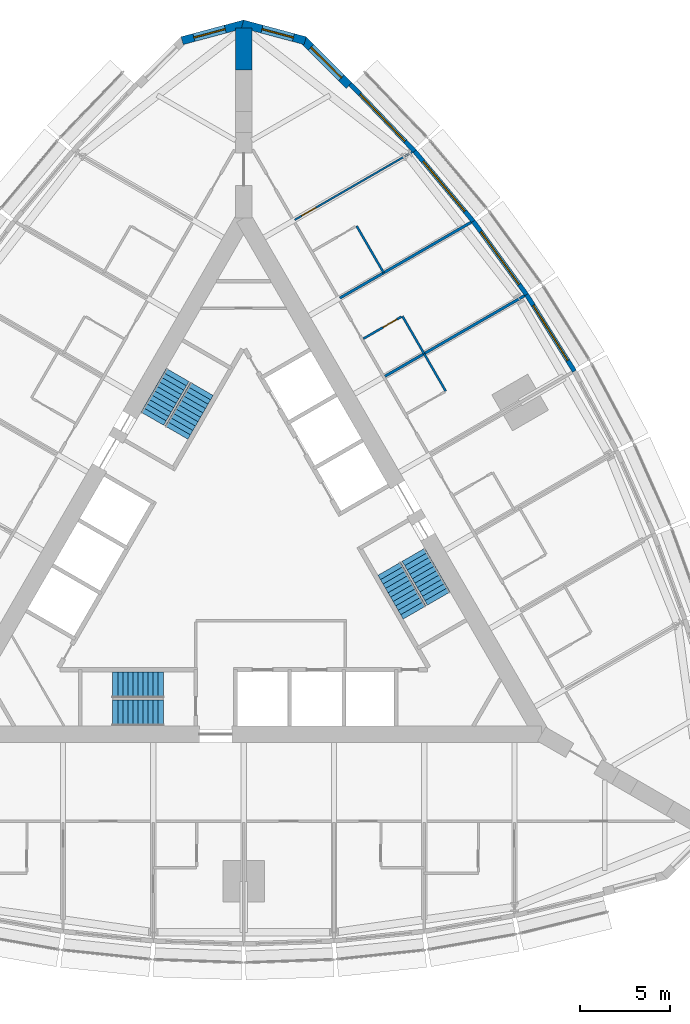
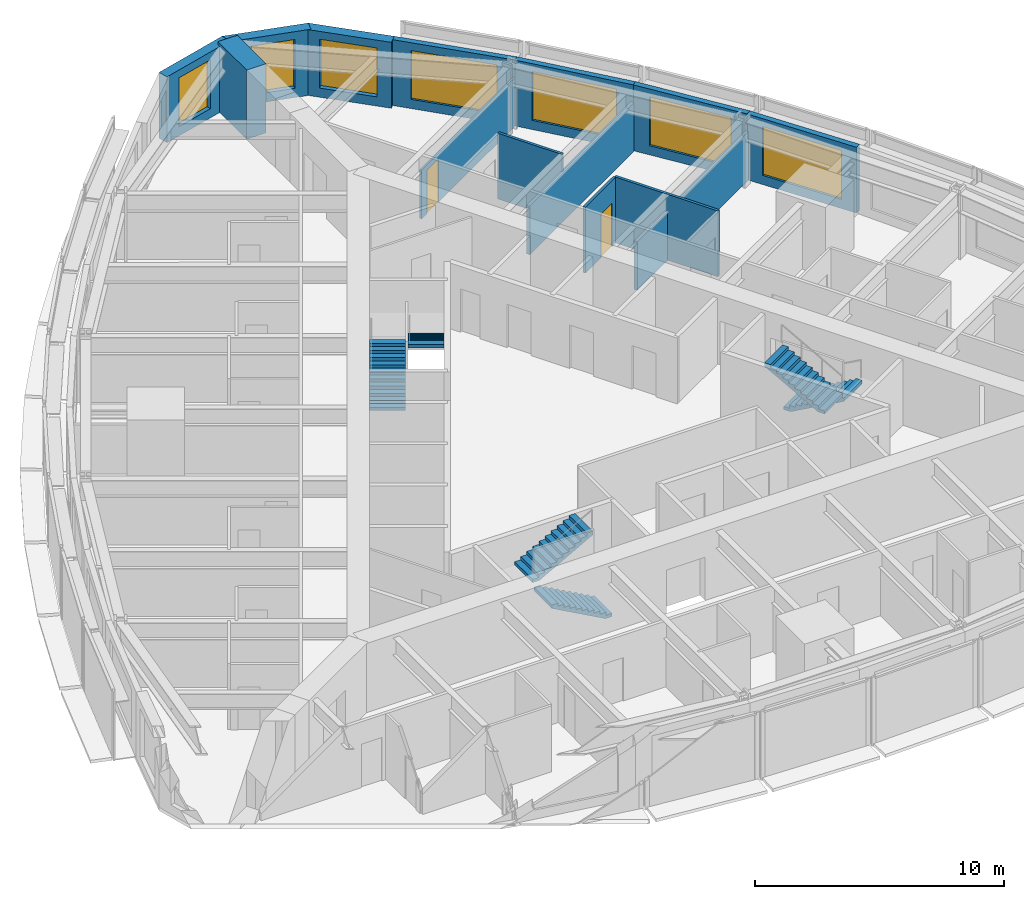
# One storey, part 13 of 14: 15 walls, 7 windows, 6 stair flights, 2 doors, 9 openings, 3 elements without a shape of their own.
"""IFC4 building model written with IfcOpenShell, lengths in metres."""

from ifc_helpers import new_model, si_unit, direction, frame, frame_2d, origin, place, context, subcontext, project, spatial, polyline, rectangle, outline, extrude, material, layer, layer_set, type_object, element, fill, aggregate, save


model = new_model("IFC4")

# Units and contexts
model_context = context("Model", 3, precision=1e-05, world=origin(), true_north=direction((0.0, 1.0)))
body_context = subcontext(model_context, "Body", "Model", "MODEL_VIEW")
ifc_project = project(units=[si_unit("LENGTHUNIT", "METRE"), si_unit("AREAUNIT", "SQUARE_METRE"), si_unit("VOLUMEUNIT", "CUBIC_METRE"), si_unit("PLANEANGLEUNIT", "RADIAN"), si_unit("MASSUNIT", "GRAM", prefix="KILO")], contexts=[model_context])

# Site, building, storey
site_placement = place(None, origin())
site = spatial("IfcSite", under=ifc_project, at=site_placement, CompositionType="ELEMENT")
building_placement = place(site_placement, origin())
building = spatial("IfcBuilding", under=site, at=building_placement, Name="Trikona Tower", CompositionType="ELEMENT")
storey_placement = place(building_placement, frame((0.0, 0.0, 135.10009765625)))
storey = spatial("IfcBuildingStorey", under=building, at=storey_placement, Name="L35", CompositionType="ELEMENT", Elevation=135.10009765625)

# Walls
ifc_material_1 = material(Name="Metal stud and cement board", Category="gypsum")
ifc_layer_1 = layer(ifc_material_1, 0.1201171875)
ifc_layer_set_1 = layer_set([ifc_layer_1], Name="Bathroom wall 120")
wall_type_1 = type_object("IfcWallType", Name="Bathroom wall 120", PredefinedType="PLUMBINGWALL", material=ifc_layer_set_1)
for number, where, z_axis, x_axis, name in (
    (1, (11.193603515625, 9.46484375, 0.0), (0.0, 0.0, 1.0), (-0.500077600433, 0.865980596518, 0.0), "Bathroom wall 3508"),
    (2, (9.993408203125, 11.543212890625, 0.0), (0.0, 0.0, 1.0), (-0.500001309137, 0.866024647952, 0.0), "Bathroom wall 3509"),
):
    element("IfcWall", number, at=place(storey_placement, frame(where, z_axis=z_axis, x_axis=x_axis)), inside=storey, type_object=wall_type_1, Name=name, PredefinedType="PLUMBINGWALL", context=body_context, shape_type="SweptSolid", body=[
        extrude(rectangle(XDim=2.39990234375, YDim=0.1201171875, at=frame_2d((1.199951171875, 0.0))), origin(), (0.0, 0.0, 1.0), 3.23486328125),
    ])

# Wall, opening, door
wall_1_placement = place(storey_placement, frame((6.62841796875, 12.37158203125, 0.0), z_axis=(0.0, 0.0, 1.0), x_axis=(0.866005645448, 0.500034220881, 0.0)))
wall_1 = element("IfcWall", 3, at=wall_1_placement, inside=storey, type_object=wall_type_1, Name="Bathroom wall 3509", PredefinedType="PLUMBINGWALL", context=body_context, shape_type="SweptSolid", body=[
    extrude(rectangle(XDim=2.440185546875, YDim=0.1201171875, at=frame_2d((1.22021484375, 0.0))), origin(), (0.0, 0.0, 1.0), 3.23486328125),
])
opening_1_placement = place(wall_1_placement, frame((1.25, 0.0, 0.0)))
opening_1 = element("IfcOpeningElement", 4, at=opening_1_placement, cuts=wall_1, Name="Opening D2", PredefinedType="OPENING", context=body_context, shape_type="SweptSolid", body=[
    extrude(rectangle(XDim=0.89990234375, YDim=2.1298828125, at=frame_2d((0.449951171875, 1.06494140625))), frame((0.0, 0.070068359375, 0.0), z_axis=(0.0, -1.0, 0.0), x_axis=(1.0, 0.0, 0.0)), (0.0, 0.0, 1.0), 0.14013671875),
])
ifc_material_2 = material(Name="Steel door frame with solid-core timber leaf", Category="steel")
door_type_1 = type_object("IfcDoorType", Name="Bathroom door 900x2130", OperationType="SLIDING_TO_LEFT", PredefinedType="DOOR", material=ifc_material_2)
door_1_placement = place(opening_1_placement, origin())
door_1 = element("IfcDoor", 5, at=door_1_placement, inside=storey, type_object=door_type_1, Name="Bathroom door 3509", OperationType="SLIDING_TO_LEFT", OverallHeight=2.1298828125, OverallWidth=0.89990234375, PredefinedType="DOOR", context=body_context, shape_type="SweptSolid", body=[
    extrude(rectangle(XDim=0.89990234375, YDim=2.1298828125, at=frame_2d((0.449951171875, 1.06494140625))), frame((0.0, 0.02490234375, 0.0), z_axis=(0.0, -1.0, 0.0), x_axis=(1.0, 0.0, 0.0)), (0.0, 0.0, 1.0), 0.050048828125),
])
fill(opening_1, door_1)

# Wall
wall_2_placement = place(storey_placement, frame((7.75341796875, 16.0234375, 0.0), z_axis=(0.0, 0.0, 1.0), x_axis=(-0.499990139034, 0.866031096941, 0.0)))
element("IfcWall", 6, at=wall_2_placement, inside=storey, type_object=wall_type_1, Name="Bathroom wall 3510.1", PredefinedType="PLUMBINGWALL", context=body_context, shape_type="SweptSolid", body=[
    extrude(rectangle(XDim=3.0, YDim=0.1201171875, at=frame_2d((1.5, 0.0))), origin(), (0.0, 0.0, 1.0), 3.23486328125),
])

# Wall, opening, window
ifc_material_3 = material(Name="Brick-faced precast concrete", Category="masonry")
ifc_layer_2 = layer(ifc_material_3, 0.449951171875)
ifc_layer_set_2 = layer_set([ifc_layer_2], Name="Brick-faced corner wall 450")
wall_type_2 = type_object("IfcWallType", Name="Brick-faced corner wall 450", PredefinedType="SOLIDWALL", material=ifc_layer_set_2)
wall_3_placement = place(storey_placement, frame((5.8408203125, 26.39892578125, 0.0), z_axis=(0.0, 0.0, 1.0), x_axis=(-0.707106781187, 0.707106781187, 0.0)))
wall_3 = element("IfcWall", 7, at=wall_3_placement, inside=storey, type_object=wall_type_2, Name="External wall L35-20", PredefinedType="SOLIDWALL", context=body_context, shape_type="SweptSolid", body=[
    extrude(rectangle(XDim=3.586181640625, YDim=0.449951171875, at=frame_2d((1.79296875, 0.0))), origin(), (0.0, 0.0, 1.0), 3.23486328125),
])
opening_2_placement = place(wall_3_placement, frame((0.59326171875, 0.0, 0.449951171875)))
opening_2 = element("IfcOpeningElement", 8, at=opening_2_placement, cuts=wall_3, Name="Opening W2424", PredefinedType="OPENING", context=body_context, shape_type="SweptSolid", body=[
    extrude(rectangle(XDim=2.39990234375, YDim=2.39990234375, at=frame_2d((1.199951171875, 1.199951171875))), frame((0.0, 0.23486328125, 0.0), z_axis=(0.0, -1.0, 0.0), x_axis=(1.0, 0.0, 0.0)), (0.0, 0.0, 1.0), 0.469970703125),
])
ifc_material_4 = material(Name="Aluminium-framed double glazing", Category="aluminium")
window_type_1 = type_object("IfcWindowType", Name="Window 2400x2400", PartitioningType="SINGLE_PANEL", PredefinedType="WINDOW", material=ifc_material_4)
window_1_placement = place(opening_2_placement, origin())
window_1 = element("IfcWindow", 9, at=window_1_placement, inside=storey, type_object=window_type_1, Name="Window 3510", OverallHeight=2.39990234375, OverallWidth=2.39990234375, PartitioningType="SINGLE_PANEL", PredefinedType="WINDOW", context=body_context, shape_type="SweptSolid", body=[
    extrude(rectangle(XDim=2.39990234375, YDim=2.39990234375, at=frame_2d((1.199951171875, 1.199951171875))), frame((0.0, 0.030029296875, 0.0), z_axis=(0.0, -1.0, 0.0), x_axis=(1.0, 0.0, 0.0)), (0.0, 0.0, 1.0), 0.06005859375),
])
fill(opening_2, window_1)

wall_4_placement = place(storey_placement, frame((3.406005859375, 28.876708984375, 0.0), z_axis=(0.0, 0.0, 1.0), x_axis=(-0.965924653531, 0.258823421857, 0.0)))
wall_4 = element("IfcWall", 10, at=wall_4_placement, inside=storey, type_object=wall_type_2, Name="External wall L35-21", PredefinedType="SOLIDWALL", context=body_context, shape_type="SweptSolid", body=[
    extrude(outline(polyline([(3.58642578125, 0.22509765625), (3.526611328125, 0.22509765625), (3.035400390625, 0.09326171875), (3.0, 0.22509765625), (0.0, 0.22509765625), (0.0, -0.22509765625), (3.58642578125, -0.22509765625), (3.58642578125, 0.22509765625)])), origin(), (0.0, 0.0, 1.0), 3.23486328125),
])
opening_3_placement = place(wall_4_placement, frame((0.6748046875, 0.0, 0.449951171875)))
opening_3 = element("IfcOpeningElement", 11, at=opening_3_placement, cuts=wall_4, Name="Opening W1824", PredefinedType="OPENING", context=body_context, shape_type="SweptSolid", body=[
    extrude(rectangle(XDim=1.800048828125, YDim=2.39990234375, at=frame_2d((0.89990234375, 1.199951171875))), frame((0.0, 0.23486328125, 0.0), z_axis=(0.0, -1.0, 0.0), x_axis=(1.0, 0.0, 0.0)), (0.0, 0.0, 1.0), 0.469970703125),
])
ifc_material_5 = material(Name="Aluminium-framed double glazing", Category="aluminium")
window_type_2 = type_object("IfcWindowType", Name="Window 1800x2400", PartitioningType="SINGLE_PANEL", PredefinedType="WINDOW", material=ifc_material_5)
window_2_placement = place(opening_3_placement, origin())
window_2 = element("IfcWindow", 12, at=window_2_placement, inside=storey, type_object=window_type_2, Name="Window 3510", OverallHeight=2.39990234375, OverallWidth=1.800048828125, PartitioningType="SINGLE_PANEL", PredefinedType="WINDOW", context=body_context, shape_type="SweptSolid", body=[
    extrude(rectangle(XDim=1.800048828125, YDim=2.39990234375, at=frame_2d((0.89990234375, 1.199951171875))), frame((0.0, 0.030029296875, 0.0), z_axis=(0.0, -1.0, 0.0), x_axis=(1.0, 0.0, 0.0)), (0.0, 0.0, 1.0), 0.06005859375),
])
fill(opening_3, window_2)

wall_5_placement = place(storey_placement, frame((0.05810546875, 29.804931640625, 0.0), z_axis=(0.0, 0.0, 1.0), x_axis=(-0.965924653531, -0.258823421857, 0.0)))
wall_5 = element("IfcWall", 13, at=wall_5_placement, inside=storey, type_object=wall_type_2, Name="External wall L35-22", PredefinedType="SOLIDWALL", context=body_context, shape_type="SweptSolid", body=[
    extrude(outline(polyline([(3.58642578125, 0.22509765625), (0.58642578125, 0.22509765625), (0.551025390625, 0.09326171875), (0.0595703125, 0.22509765625), (0.0, 0.22509765625), (0.0, -0.22509765625), (3.58642578125, -0.22509765625), (3.58642578125, 0.22509765625)])), origin(), (0.0, 0.0, 1.0), 3.23486328125),
])
opening_4_placement = place(wall_5_placement, frame((1.111328125, 0.0, 0.449951171875)))
opening_4 = element("IfcOpeningElement", 14, at=opening_4_placement, cuts=wall_5, Name="Opening W1824", PredefinedType="OPENING", context=body_context, shape_type="SweptSolid", body=[
    extrude(rectangle(XDim=1.800048828125, YDim=2.39990234375, at=frame_2d((0.89990234375, 1.199951171875))), frame((0.0, 0.23486328125, 0.0), z_axis=(0.0, -1.0, 0.0), x_axis=(1.0, 0.0, 0.0)), (0.0, 0.0, 1.0), 0.469970703125),
])
window_3_placement = place(opening_4_placement, origin())
window_3 = element("IfcWindow", 15, at=window_3_placement, inside=storey, type_object=window_type_2, Name="Window 3511", OverallHeight=2.39990234375, OverallWidth=1.800048828125, PartitioningType="SINGLE_PANEL", PredefinedType="WINDOW", context=body_context, shape_type="SweptSolid", body=[
    extrude(rectangle(XDim=1.800048828125, YDim=2.39990234375, at=frame_2d((0.89990234375, 1.199951171875))), frame((0.0, 0.030029296875, 0.0), z_axis=(0.0, -1.0, 0.0), x_axis=(1.0, 0.0, 0.0)), (0.0, 0.0, 1.0), 0.06005859375),
])
fill(opening_4, window_3)

# Wall
ifc_material_6 = material(Name="Concrete f'c 10000 psi", Category="concrete")
ifc_layer_3 = layer(ifc_material_6, 0.89990234375)
ifc_layer_set_3 = layer_set([ifc_layer_3], Name="Buttress wall 900")
wall_type_3 = type_object("IfcWallType", Name="Buttress wall 900", PredefinedType="SHEAR", material=ifc_layer_set_3)
wall_6_placement = place(storey_placement, frame((0.0, 27.2626953125, 0.0), z_axis=(0.0, 0.0, 1.0), x_axis=(0.0, 1.0, 0.0)))
element("IfcWall", 16, at=wall_6_placement, inside=storey, type_object=wall_type_3, Name="Buttress wall 2 part 4", PredefinedType="SHEAR", context=body_context, shape_type="SweptSolid", body=[
    extrude(rectangle(XDim=2.3095703125, YDim=0.89990234375, at=frame_2d((1.15478515625, 0.0))), origin(), (0.0, 0.0, 1.0), 3.39990234375),
])

# Wall, opening, window
ifc_material_7 = material(Name="Insulated precast concrete spandrel panel", Category="concrete")
ifc_layer_4 = layer(ifc_material_7, 0.25)
ifc_layer_set_4 = layer_set([ifc_layer_4], Name="Inner skin wall 250")
wall_type_4 = type_object("IfcWallType", Name="Inner skin wall 250", PredefinedType="STANDARD", material=ifc_layer_set_4)
wall_7_placement = place(storey_placement, frame((18.31884765625, 10.5712890625, 0.0), z_axis=(0.0, 0.0, 1.0), x_axis=(-0.529990167382, 0.84800378683, 0.0)))
wall_7 = element("IfcWall", 17, at=wall_7_placement, inside=storey, type_object=wall_type_4, Name="External wall L35-16", PredefinedType="STANDARD", context=body_context, shape_type="SweptSolid", body=[
    extrude(rectangle(XDim=5.003173828125, YDim=0.25, at=frame_2d((2.50146484375, 0.0))), origin(), (0.0, 0.0, 1.0), 3.23486328125),
])
opening_5_placement = place(wall_7_placement, frame((0.701416015625, 0.0, 0.449951171875)))
opening_5 = element("IfcOpeningElement", 18, at=opening_5_placement, cuts=wall_7, Name="Opening W3624", PredefinedType="OPENING", context=body_context, shape_type="SweptSolid", body=[
    extrude(rectangle(XDim=3.60009765625, YDim=2.39990234375, at=frame_2d((1.800048828125, 1.199951171875))), frame((0.0, 0.135009765625, 0.0), z_axis=(0.0, -1.0, 0.0), x_axis=(1.0, 0.0, 0.0)), (0.0, 0.0, 1.0), 0.27001953125),
])
ifc_material_8 = material(Name="Aluminium-framed double glazing", Category="aluminium")
window_type_3 = type_object("IfcWindowType", Name="Window 3600x2400", PartitioningType="SINGLE_PANEL", PredefinedType="WINDOW", material=ifc_material_8)
window_4_placement = place(opening_5_placement, origin())
window_4 = element("IfcWindow", 19, at=window_4_placement, inside=storey, type_object=window_type_3, Name="Window 3508", OverallHeight=2.39990234375, OverallWidth=3.60009765625, PartitioningType="SINGLE_PANEL", PredefinedType="WINDOW", context=body_context, shape_type="SweptSolid", body=[
    extrude(rectangle(XDim=3.60009765625, YDim=2.39990234375, at=frame_2d((1.800048828125, 1.199951171875))), frame((0.0, 0.030029296875, 0.0), z_axis=(0.0, -1.0, 0.0), x_axis=(1.0, 0.0, 0.0)), (0.0, 0.0, 1.0), 0.06005859375),
])
fill(opening_5, window_4)

wall_8_placement = place(storey_placement, frame((15.672119140625, 14.806640625, 0.0), z_axis=(0.0, 0.0, 1.0), x_axis=(-0.587669188412, 0.809101307001, 0.0)))
wall_8 = element("IfcWall", 20, at=wall_8_placement, inside=storey, type_object=wall_type_4, Name="External wall L35-17", PredefinedType="STANDARD", context=body_context, shape_type="SweptSolid", body=[
    extrude(rectangle(XDim=5.027587890625, YDim=0.25, at=frame_2d((2.513671875, 0.0))), origin(), (0.0, 0.0, 1.0), 3.23486328125),
])
opening_6_placement = place(wall_8_placement, frame((0.7138671875, 0.0, 0.449951171875)))
opening_6 = element("IfcOpeningElement", 21, at=opening_6_placement, cuts=wall_8, Name="Opening W3624", PredefinedType="OPENING", context=body_context, shape_type="SweptSolid", body=[
    extrude(rectangle(XDim=3.60009765625, YDim=2.39990234375, at=frame_2d((1.800048828125, 1.199951171875))), frame((0.0, 0.135009765625, 0.0), z_axis=(0.0, -1.0, 0.0), x_axis=(1.0, 0.0, 0.0)), (0.0, 0.0, 1.0), 0.27001953125),
])
window_5_placement = place(opening_6_placement, origin())
window_5 = element("IfcWindow", 22, at=window_5_placement, inside=storey, type_object=window_type_3, Name="Window 3509", OverallHeight=2.39990234375, OverallWidth=3.60009765625, PartitioningType="SINGLE_PANEL", PredefinedType="WINDOW", context=body_context, shape_type="SweptSolid", body=[
    extrude(rectangle(XDim=3.60009765625, YDim=2.39990234375, at=frame_2d((1.800048828125, 1.199951171875))), frame((0.0, 0.030029296875, 0.0), z_axis=(0.0, -1.0, 0.0), x_axis=(1.0, 0.0, 0.0)), (0.0, 0.0, 1.0), 0.06005859375),
])
fill(opening_6, window_5)

wall_9_placement = place(storey_placement, frame((12.722900390625, 18.86767578125, 0.0), z_axis=(0.0, 0.0, 1.0), x_axis=(-0.641810386606, 0.766863369607, 0.0)))
wall_9 = element("IfcWall", 23, at=wall_9_placement, inside=storey, type_object=wall_type_4, Name="External wall L35-18", PredefinedType="STANDARD", context=body_context, shape_type="SweptSolid", body=[
    extrude(rectangle(XDim=5.075927734375, YDim=0.25, at=frame_2d((2.5380859375, 0.0))), origin(), (0.0, 0.0, 1.0), 3.23486328125),
])
opening_7_placement = place(wall_9_placement, frame((0.738037109375, 0.0, 0.449951171875)))
opening_7 = element("IfcOpeningElement", 24, at=opening_7_placement, cuts=wall_9, Name="Opening W3624", PredefinedType="OPENING", context=body_context, shape_type="SweptSolid", body=[
    extrude(rectangle(XDim=3.60009765625, YDim=2.39990234375, at=frame_2d((1.800048828125, 1.199951171875))), frame((0.0, 0.135009765625, 0.0), z_axis=(0.0, -1.0, 0.0), x_axis=(1.0, 0.0, 0.0)), (0.0, 0.0, 1.0), 0.27001953125),
])
window_6_placement = place(opening_7_placement, origin())
window_6 = element("IfcWindow", 25, at=window_6_placement, inside=storey, type_object=window_type_3, Name="Window 3510.1", OverallHeight=2.39990234375, OverallWidth=3.60009765625, PartitioningType="SINGLE_PANEL", PredefinedType="WINDOW", context=body_context, shape_type="SweptSolid", body=[
    extrude(rectangle(XDim=3.60009765625, YDim=2.39990234375, at=frame_2d((1.800048828125, 1.199951171875))), frame((0.0, 0.030029296875, 0.0), z_axis=(0.0, -1.0, 0.0), x_axis=(1.0, 0.0, 0.0)), (0.0, 0.0, 1.0), 0.06005859375),
])
fill(opening_7, window_6)

wall_10_placement = place(storey_placement, frame((9.470703125, 22.75390625, 0.0), z_axis=(0.0, 0.0, 1.0), x_axis=(-0.691719937936, 0.722165858693, 0.0)))
wall_10 = element("IfcWall", 26, at=wall_10_placement, inside=storey, type_object=wall_type_4, Name="External wall L35-19", PredefinedType="STANDARD", context=body_context, shape_type="SweptSolid", body=[
    extrude(rectangle(XDim=5.148193359375, YDim=0.25, at=frame_2d((2.57421875, 0.0))), origin(), (0.0, 0.0, 1.0), 3.23486328125),
])
opening_8_placement = place(wall_10_placement, frame((0.77392578125, 0.0, 0.449951171875)))
opening_8 = element("IfcOpeningElement", 27, at=opening_8_placement, cuts=wall_10, Name="Opening W3624", PredefinedType="OPENING", context=body_context, shape_type="SweptSolid", body=[
    extrude(rectangle(XDim=3.60009765625, YDim=2.39990234375, at=frame_2d((1.800048828125, 1.199951171875))), frame((0.0, 0.135009765625, 0.0), z_axis=(0.0, -1.0, 0.0), x_axis=(1.0, 0.0, 0.0)), (0.0, 0.0, 1.0), 0.27001953125),
])
window_7_placement = place(opening_8_placement, origin())
window_7 = element("IfcWindow", 28, at=window_7_placement, inside=storey, type_object=window_type_3, Name="Window 3510", OverallHeight=2.39990234375, OverallWidth=3.60009765625, PartitioningType="SINGLE_PANEL", PredefinedType="WINDOW", context=body_context, shape_type="SweptSolid", body=[
    extrude(rectangle(XDim=3.60009765625, YDim=2.39990234375, at=frame_2d((1.800048828125, 1.199951171875))), frame((0.0, 0.030029296875, 0.0), z_axis=(0.0, -1.0, 0.0), x_axis=(1.0, 0.0, 0.0)), (0.0, 0.0, 1.0), 0.06005859375),
])
fill(opening_8, window_7)

# Walls
ifc_material_9 = material(Name="Metal stud and gypsum board, 1-hour acoustic", Category="gypsum")
ifc_layer_5 = layer(ifc_material_9, 0.14990234375)
ifc_layer_set_5 = layer_set([ifc_layer_5], Name="Party wall 150")
wall_type_5 = type_object("IfcWallType", Name="Party wall 150", PredefinedType="PARTITIONING", material=ifc_layer_set_5)
wall_11_placement = place(storey_placement, frame((7.82861328125, 10.293212890625, 0.0), z_axis=(0.0, 0.0, 1.0), x_axis=(0.866027015393, 0.499997208602, 0.0)))
element("IfcWall", 29, at=wall_11_placement, inside=storey, type_object=wall_type_5, Name="Partition L35 F2 u5", PredefinedType="PARTITIONING", context=body_context, shape_type="SweptSolid", body=[
    extrude(rectangle(XDim=8.92236328125, YDim=0.14990234375, at=frame_2d((4.461181640625, 0.0))), origin(), (0.0, 0.0, 1.0), 2.38916015625),
])
wall_12_placement = place(storey_placement, frame((5.32861328125, 14.623291015625, 0.0), z_axis=(0.0, 0.0, 1.0), x_axis=(0.866011723728, 0.500023693804, 0.0)))
element("IfcWall", 30, at=wall_12_placement, inside=storey, type_object=wall_type_5, Name="Partition L35 F2 u10", PredefinedType="PARTITIONING", context=body_context, shape_type="SweptSolid", body=[
    extrude(rectangle(XDim=8.39501953125, YDim=0.14990234375, at=frame_2d((4.197509765625, 0.0))), origin(), (0.0, 0.0, 1.0), 2.38916015625),
])

# Wall, opening, door
ifc_material_10 = material(Name="Metal stud and gypsum board, acoustic", Category="gypsum")
ifc_layer_6 = layer(ifc_material_10, 0.10009765625)
ifc_layer_set_6 = layer_set([ifc_layer_6], Name="Suite partition 100")
wall_type_6 = type_object("IfcWallType", Name="Suite partition 100", PredefinedType="PARTITIONING", material=ifc_layer_set_6)
wall_13_placement = place(storey_placement, frame((2.82861328125, 18.95361328125, 0.0), z_axis=(0.0, 0.0, 1.0), x_axis=(0.866015739374, 0.500016738876, 0.0)))
wall_13 = element("IfcWall", 31, at=wall_13_placement, inside=storey, type_object=wall_type_6, Name="Suite partition L35 F2 u15", PredefinedType="PARTITIONING", context=body_context, shape_type="SweptSolid", body=[
    extrude(rectangle(XDim=7.516357421875, YDim=0.10009765625, at=frame_2d((3.75830078125, 0.0))), origin(), (0.0, 0.0, 1.0), 2.38916015625),
])
opening_9_placement = place(wall_13_placement, frame((0.449951171875, 0.0, 0.0)))
opening_9 = element("IfcOpeningElement", 32, at=opening_9_placement, cuts=wall_13, Name="Opening D13", PredefinedType="OPENING", context=body_context, shape_type="SweptSolid", body=[
    extrude(rectangle(XDim=0.89990234375, YDim=2.1298828125, at=frame_2d((0.449951171875, 1.06494140625))), frame((0.0, 0.06005859375, 0.0), z_axis=(0.0, -1.0, 0.0), x_axis=(1.0, 0.0, 0.0)), (0.0, 0.0, 1.0), 0.1201171875),
])
ifc_material_11 = material(Name="Steel door frame with solid-core timber leaf", Category="steel")
door_type_2 = type_object("IfcDoorType", Name="Suite door 900x2130", OperationType="SINGLE_SWING_LEFT", PredefinedType="DOOR", material=ifc_material_11)
door_2_placement = place(opening_9_placement, origin())
door_2 = element("IfcDoor", 33, at=door_2_placement, inside=storey, type_object=door_type_2, Name="Suite door 3510", OperationType="SINGLE_SWING_LEFT", OverallHeight=2.1298828125, OverallWidth=0.89990234375, PredefinedType="DOOR", context=body_context, shape_type="SweptSolid", body=[
    extrude(rectangle(XDim=0.89990234375, YDim=2.1298828125, at=frame_2d((0.449951171875, 1.06494140625))), frame((0.0, 0.02490234375, 0.0), z_axis=(0.0, -1.0, 0.0), x_axis=(1.0, 0.0, 0.0)), (0.0, 0.0, 1.0), 0.050048828125),
])
fill(opening_9, door_2)

# Stair, stair flights
ifc_material_12 = material(Name="Concrete f'c 5000 psi", Category="concrete")
stair_type = type_object("IfcStairType", Name="Core stair", PredefinedType="HALF_TURN_STAIR", material=ifc_material_12)
stair_1_placement = place(storey_placement, origin())
stair_1 = element("IfcStair", 34, at=stair_1_placement, inside=storey, type_object=stair_type, Name="Stair A L35", PredefinedType="HALF_TURN_STAIR")
ifc_material_13 = material(Name="Concrete f'c 5000 psi", Category="concrete")
stair_flight_type = type_object("IfcStairFlightType", Name="Core stair flight 1450", PredefinedType="STRAIGHT", material=ifc_material_13)
stair_flight_1_placement = place(storey_placement, frame((-4.449951171875, -8.351318359375, 0.0), z_axis=(0.0, 0.0, 1.0), x_axis=(-1.0, 0.0, 0.0)))
stair_flight_1 = element("IfcStairFlight", 35, at=stair_flight_1_placement, type_object=stair_flight_type, Name="ST-A flight 1", NumberOfRisers=11, NumberOfTreads=10, PredefinedType="STRAIGHT", RiserHeight=0.154545, TreadLength=0.28, context=body_context, shape_type="SweptSolid", body=[
    extrude(outline(polyline([(0.0, 0.0), (0.0, 0.154541015625), (0.280029296875, 0.154541015625), (0.280029296875, 0.30908203125), (0.56005859375, 0.30908203125), (0.56005859375, 0.463623046875), (0.840087890625, 0.463623046875), (0.840087890625, 0.6181640625), (1.1201171875, 0.6181640625), (1.1201171875, 0.772705078125), (1.39990234375, 0.772705078125), (1.39990234375, 0.92724609375), (1.679931640625, 0.92724609375), (1.679931640625, 1.081787109375), (1.9599609375, 1.081787109375), (1.9599609375, 1.236328125), (2.239990234375, 1.236328125), (2.239990234375, 1.390869140625), (2.52001953125, 1.390869140625), (2.52001953125, 1.54541015625), (2.800048828125, 1.54541015625), (2.800048828125, 1.699951171875), (2.800048828125, 1.374267578125), (0.310302734375, 0.0), (0.0, 0.0)])), frame((0.0, 0.72509765625, 0.0), z_axis=(0.0, -1.0, 0.0), x_axis=(1.0, 0.0, 0.0)), (0.0, 0.0, 1.0), 1.449951171875),
])
stair_flight_2_placement = place(storey_placement, frame((-7.25, -6.80126953125, 1.699951171875), z_axis=(0.0, 0.0, 1.0), x_axis=(1.0, 0.0, 0.0)))
stair_flight_2 = element("IfcStairFlight", 36, at=stair_flight_2_placement, type_object=stair_flight_type, Name="ST-A flight 2", NumberOfRisers=11, NumberOfTreads=10, PredefinedType="STRAIGHT", RiserHeight=0.154545, TreadLength=0.28, context=body_context, shape_type="SweptSolid", body=[
    extrude(outline(polyline([(0.0, 0.0), (0.0, 0.154541015625), (0.280029296875, 0.154541015625), (0.280029296875, 0.30908203125), (0.56005859375, 0.30908203125), (0.56005859375, 0.463623046875), (0.840087890625, 0.463623046875), (0.840087890625, 0.6181640625), (1.1201171875, 0.6181640625), (1.1201171875, 0.772705078125), (1.39990234375, 0.772705078125), (1.39990234375, 0.92724609375), (1.679931640625, 0.92724609375), (1.679931640625, 1.081787109375), (1.9599609375, 1.081787109375), (1.9599609375, 1.236328125), (2.239990234375, 1.236328125), (2.239990234375, 1.390869140625), (2.52001953125, 1.390869140625), (2.52001953125, 1.54541015625), (2.800048828125, 1.54541015625), (2.800048828125, 1.699951171875), (2.800048828125, 1.374267578125), (0.310302734375, 0.0), (0.0, 0.0)])), frame((0.0, 0.72509765625, 0.0), z_axis=(0.0, -1.0, 0.0), x_axis=(1.0, 0.0, 0.0)), (0.0, 0.0, 1.0), 1.449951171875),
])
aggregate(stair_1, [stair_flight_1, stair_flight_2])

stair_2_placement = place(storey_placement, origin())
stair_2 = element("IfcStair", 37, at=stair_2_placement, inside=storey, type_object=stair_type, Name="Stair B L35", PredefinedType="HALF_TURN_STAIR")
stair_flight_3_placement = place(storey_placement, frame((9.407470703125, 0.408447265625, 0.0), z_axis=(0.0, 0.0, 1.0), x_axis=(0.5, -0.866025403784, 0.0)))
stair_flight_3 = element("IfcStairFlight", 38, at=stair_flight_3_placement, type_object=stair_flight_type, Name="ST-B flight 1", NumberOfRisers=11, NumberOfTreads=10, PredefinedType="STRAIGHT", RiserHeight=0.154545, TreadLength=0.28, context=body_context, shape_type="SweptSolid", body=[
    extrude(outline(polyline([(0.0, 0.0), (0.0, 0.154541015625), (0.280029296875, 0.154541015625), (0.280029296875, 0.30908203125), (0.56005859375, 0.30908203125), (0.56005859375, 0.463623046875), (0.840087890625, 0.463623046875), (0.840087890625, 0.6181640625), (1.1201171875, 0.6181640625), (1.1201171875, 0.772705078125), (1.39990234375, 0.772705078125), (1.39990234375, 0.92724609375), (1.679931640625, 0.92724609375), (1.679931640625, 1.081787109375), (1.9599609375, 1.081787109375), (1.9599609375, 1.236328125), (2.239990234375, 1.236328125), (2.239990234375, 1.390869140625), (2.52001953125, 1.390869140625), (2.52001953125, 1.54541015625), (2.800048828125, 1.54541015625), (2.800048828125, 1.699951171875), (2.800048828125, 1.374267578125), (0.310302734375, 0.0), (0.0, 0.0)])), frame((0.0, 0.72509765625, 0.0), z_axis=(0.0, -1.0, 0.0), x_axis=(1.0, 0.0, 0.0)), (0.0, 0.0, 1.0), 1.449951171875),
])
stair_flight_4_placement = place(storey_placement, frame((9.465087890625, -2.79150390625, 1.699951171875), z_axis=(0.0, 0.0, 1.0), x_axis=(-0.5, 0.866025403784, 0.0)))
stair_flight_4 = element("IfcStairFlight", 39, at=stair_flight_4_placement, type_object=stair_flight_type, Name="ST-B flight 2", NumberOfRisers=11, NumberOfTreads=10, PredefinedType="STRAIGHT", RiserHeight=0.154545, TreadLength=0.28, context=body_context, shape_type="SweptSolid", body=[
    extrude(outline(polyline([(0.0, 0.0), (0.0, 0.154541015625), (0.280029296875, 0.154541015625), (0.280029296875, 0.30908203125), (0.56005859375, 0.30908203125), (0.56005859375, 0.463623046875), (0.840087890625, 0.463623046875), (0.840087890625, 0.6181640625), (1.1201171875, 0.6181640625), (1.1201171875, 0.772705078125), (1.39990234375, 0.772705078125), (1.39990234375, 0.92724609375), (1.679931640625, 0.92724609375), (1.679931640625, 1.081787109375), (1.9599609375, 1.081787109375), (1.9599609375, 1.236328125), (2.239990234375, 1.236328125), (2.239990234375, 1.390869140625), (2.52001953125, 1.390869140625), (2.52001953125, 1.54541015625), (2.800048828125, 1.54541015625), (2.800048828125, 1.699951171875), (2.800048828125, 1.374267578125), (0.310302734375, 0.0), (0.0, 0.0)])), frame((0.0, 0.72509765625, 0.0), z_axis=(0.0, -1.0, 0.0), x_axis=(1.0, 0.0, 0.0)), (0.0, 0.0, 1.0), 1.449951171875),
])
aggregate(stair_2, [stair_flight_3, stair_flight_4])

stair_3_placement = place(storey_placement, origin())
stair_3 = element("IfcStair", 40, at=stair_3_placement, inside=storey, type_object=stair_type, Name="Stair C L35", PredefinedType="HALF_TURN_STAIR")
stair_flight_5_placement = place(storey_placement, frame((-5.057373046875, 7.94287109375, 0.0), z_axis=(0.0, 0.0, 1.0), x_axis=(0.5, 0.866025403784, 0.0)))
stair_flight_5 = element("IfcStairFlight", 41, at=stair_flight_5_placement, type_object=stair_flight_type, Name="ST-C flight 1", NumberOfRisers=11, NumberOfTreads=10, PredefinedType="STRAIGHT", RiserHeight=0.154545, TreadLength=0.28, context=body_context, shape_type="SweptSolid", body=[
    extrude(outline(polyline([(0.0, 0.0), (0.0, 0.154541015625), (0.280029296875, 0.154541015625), (0.280029296875, 0.30908203125), (0.56005859375, 0.30908203125), (0.56005859375, 0.463623046875), (0.840087890625, 0.463623046875), (0.840087890625, 0.6181640625), (1.1201171875, 0.6181640625), (1.1201171875, 0.772705078125), (1.39990234375, 0.772705078125), (1.39990234375, 0.92724609375), (1.679931640625, 0.92724609375), (1.679931640625, 1.081787109375), (1.9599609375, 1.081787109375), (1.9599609375, 1.236328125), (2.239990234375, 1.236328125), (2.239990234375, 1.390869140625), (2.52001953125, 1.390869140625), (2.52001953125, 1.54541015625), (2.800048828125, 1.54541015625), (2.800048828125, 1.699951171875), (2.800048828125, 1.374267578125), (0.310302734375, 0.0), (0.0, 0.0)])), frame((0.0, 0.72509765625, 0.0), z_axis=(0.0, -1.0, 0.0), x_axis=(1.0, 0.0, 0.0)), (0.0, 0.0, 1.0), 1.449951171875),
])
stair_flight_6_placement = place(storey_placement, frame((-2.315185546875, 9.5927734375, 1.699951171875), z_axis=(0.0, 0.0, 1.0), x_axis=(-0.5, -0.866025403784, 0.0)))
stair_flight_6 = element("IfcStairFlight", 42, at=stair_flight_6_placement, type_object=stair_flight_type, Name="ST-C flight 2", NumberOfRisers=11, NumberOfTreads=10, PredefinedType="STRAIGHT", RiserHeight=0.154545, TreadLength=0.28, context=body_context, shape_type="SweptSolid", body=[
    extrude(outline(polyline([(0.0, 0.0), (0.0, 0.154541015625), (0.280029296875, 0.154541015625), (0.280029296875, 0.30908203125), (0.56005859375, 0.30908203125), (0.56005859375, 0.463623046875), (0.840087890625, 0.463623046875), (0.840087890625, 0.6181640625), (1.1201171875, 0.6181640625), (1.1201171875, 0.772705078125), (1.39990234375, 0.772705078125), (1.39990234375, 0.92724609375), (1.679931640625, 0.92724609375), (1.679931640625, 1.081787109375), (1.9599609375, 1.081787109375), (1.9599609375, 1.236328125), (2.239990234375, 1.236328125), (2.239990234375, 1.390869140625), (2.52001953125, 1.390869140625), (2.52001953125, 1.54541015625), (2.800048828125, 1.54541015625), (2.800048828125, 1.699951171875), (2.800048828125, 1.374267578125), (0.310302734375, 0.0), (0.0, 0.0)])), frame((0.0, 0.72509765625, 0.0), z_axis=(0.0, -1.0, 0.0), x_axis=(1.0, 0.0, 0.0)), (0.0, 0.0, 1.0), 1.449951171875),
])
aggregate(stair_3, [stair_flight_5, stair_flight_6])

save(model, "model.ifc")
